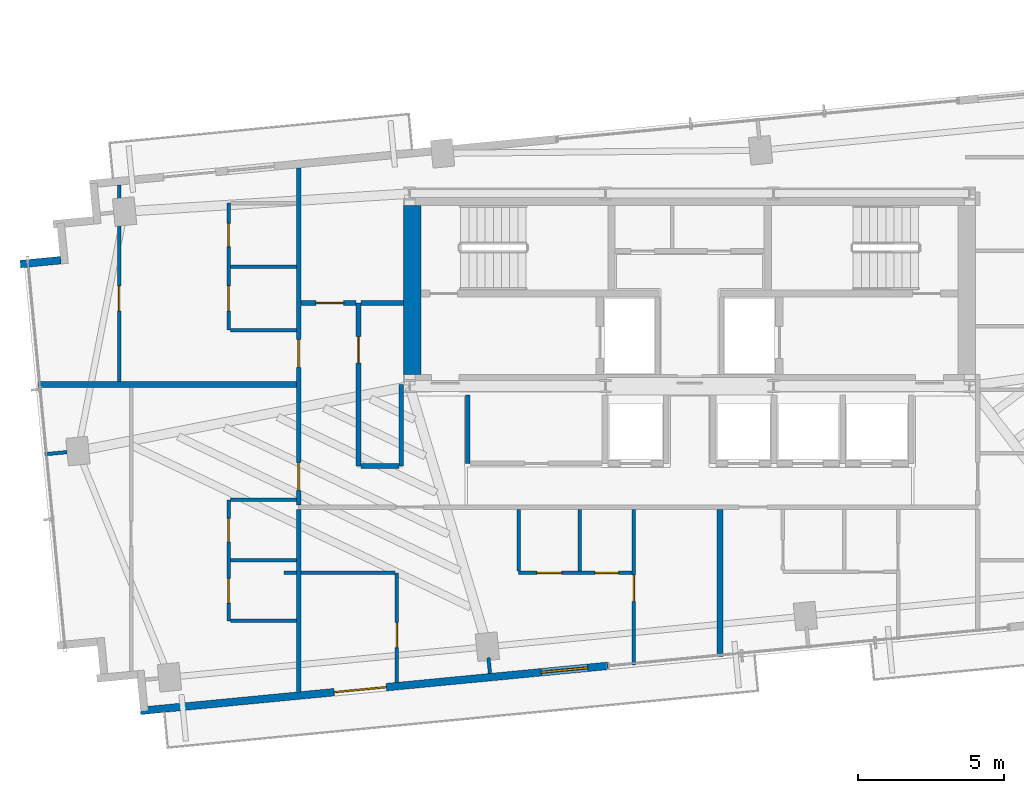
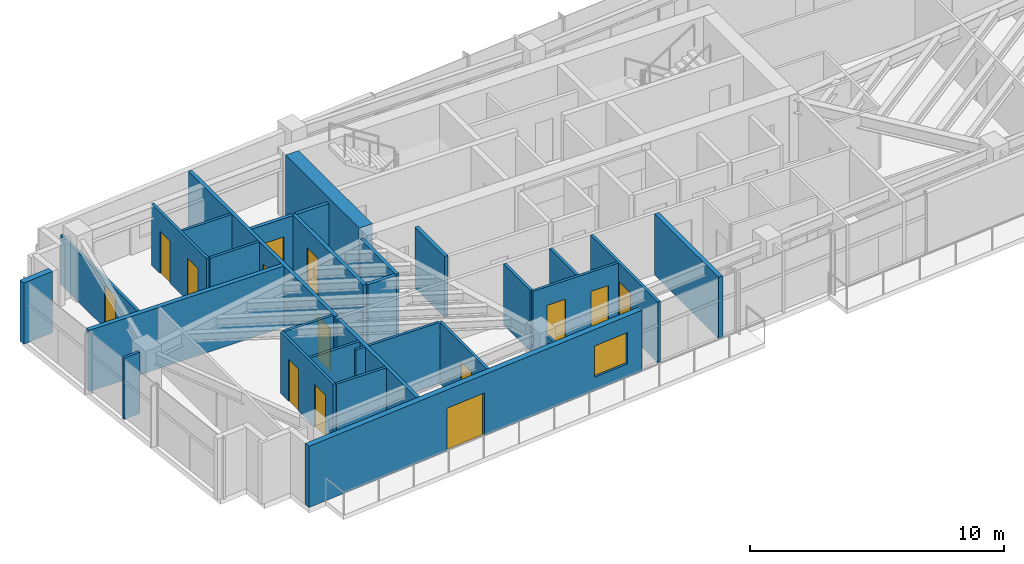
# One storey, part 13 of 18: 30 walls, 14 doors, 1 window, 15 openings.
"""IFC4 building model written with IfcOpenShell, lengths in metres."""

from ifc_helpers import new_model, si_unit, direction, frame, frame_2d, origin, place, context, subcontext, project, spatial, rectangle, extrude, source, transform, mapped, material, layer, layer_set, type_object, type_shapes, element, fill, save


model = new_model("IFC4")

# Units and contexts
model_context = context("Model", 3, precision=1e-05, world=origin(), true_north=direction((0.0, 1.0)))
body_context = subcontext(model_context, "Body", "Model", "MODEL_VIEW")
ifc_project = project(units=[si_unit("LENGTHUNIT", "METRE"), si_unit("AREAUNIT", "SQUARE_METRE"), si_unit("VOLUMEUNIT", "CUBIC_METRE"), si_unit("PLANEANGLEUNIT", "RADIAN"), si_unit("MASSUNIT", "GRAM", prefix="KILO")], contexts=[model_context])

# Site, building, storey
site_placement = place(None, origin())
site = spatial("IfcSite", under=ifc_project, at=site_placement, CompositionType="ELEMENT")
building_placement = place(site_placement, origin())
building = spatial("IfcBuilding", under=site, at=building_placement, Name="Astriad Promenade Condominiums", CompositionType="ELEMENT")
storey_placement = place(building_placement, frame((0.0, 0.0, 182.60009765625)))
storey = spatial("IfcBuildingStorey", under=building, at=storey_placement, Name="L52", CompositionType="ELEMENT", Elevation=182.60009765625)

# Walls
ifc_material_1 = material(Name="Concrete C50/60", Category="concrete")
ifc_layer_1 = layer(ifc_material_1, 0.60009765625)
ifc_layer_set_1 = layer_set([ifc_layer_1], Name="Concrete C50/60")
wall_type_1 = type_object("IfcWallType", Name="CW-SHEAR-600", PredefinedType="SHEAR", material=ifc_layer_set_1)
wall_1_placement = place(storey_placement, frame((26.5, 17.802001953125, 0.0), z_axis=(0.0, 0.0, 1.0), x_axis=(0.0, 1.0, 0.0)))
element("IfcWall", 1, at=wall_1_placement, inside=storey, type_object=wall_type_1, Name="CW-CORE-W-L52", PredefinedType="SHEAR", context=body_context, shape_type="SweptSolid", body=[
    extrude(rectangle(XDim=5.7958984375, YDim=0.60009765625, at=frame_2d((2.89794921875, 0.0))), origin(), (0.0, 0.0, 1.0), 3.199951171875),
])
ifc_material_2 = material(Name="Fire-Rated Gypsum Partition")
ifc_layer_2 = layer(ifc_material_2, 0.159912109375)
ifc_layer_set_2 = layer_set([ifc_layer_2], Name="Fire-Rated Gypsum Partition")
wall_type_2 = type_object("IfcWallType", Name="WALL-CORR-160", PredefinedType="PARTITIONING", material=ifc_layer_set_2)
wall_2_placement = place(storey_placement, frame((28.39990234375, 14.75, 0.0), z_axis=(0.0, 0.0, 1.0), x_axis=(0.0, 1.0, 0.0)))
element("IfcWall", 2, at=wall_2_placement, inside=storey, type_object=wall_type_2, Name="REC-L-W-L52", PredefinedType="PARTITIONING", context=body_context, shape_type="SweptSolid", body=[
    extrude(rectangle(XDim=2.35009765625, YDim=0.159912109375, at=frame_2d((1.175048828125, 0.0))), origin(), (0.0, 0.0, 1.0), 2.93994140625),
])
wall_3_placement = place(storey_placement, frame((22.60009765625, 6.92236328125, 0.0), z_axis=(0.0, 0.0, 1.0), x_axis=(0.0, 1.0, 0.0)))
element("IfcWall", 3, at=wall_3_placement, inside=storey, type_object=wall_type_2, Name="PT-COR-W-L52", PredefinedType="PARTITIONING", context=body_context, shape_type="SweptSolid", body=[
    extrude(rectangle(XDim=6.24560546875, YDim=0.159912109375, at=frame_2d((3.122802734375, 0.0))), origin(), (0.0, 0.0, 1.0), 2.93994140625),
])

# Wall, openings, doors
wall_4_placement = place(storey_placement, frame((22.60009765625, 13.33203125, 0.0), z_axis=(0.0, 0.0, 1.0), x_axis=(0.0, 1.0, 0.0)))
wall_4 = element("IfcWall", 4, at=wall_4_placement, inside=storey, type_object=wall_type_2, Name="PT-COR-W-L52-S2", PredefinedType="PARTITIONING", context=body_context, shape_type="SweptSolid", body=[
    extrude(rectangle(XDim=11.548828125, YDim=0.159912109375, at=frame_2d((5.7744140625, 0.0))), origin(), (0.0, 0.0, 1.0), 2.93994140625),
])
opening_1_placement = place(wall_4_placement, frame((0.492919921875, 0.0, 0.0)))
opening_1 = element("IfcOpeningElement", 5, at=opening_1_placement, cuts=wall_4, Name="Opening FD60-APT-095", PredefinedType="OPENING", context=body_context, shape_type="SweptSolid", body=[
    extrude(rectangle(XDim=0.949951171875, YDim=2.06005859375, at=frame_2d((0.47509765625, 1.030029296875))), frame((0.0, 0.08984375, 0.0), z_axis=(0.0, -1.0, 0.0), x_axis=(1.0, 0.0, 0.0)), (0.0, 0.0, 1.0), 0.179931640625),
])
opening_2_placement = place(wall_4_placement, frame((4.712890625, 0.0, 0.0)))
opening_2 = element("IfcOpeningElement", 6, at=opening_2_placement, cuts=wall_4, Name="Opening FD60-APT-095", PredefinedType="OPENING", context=body_context, shape_type="SweptSolid", body=[
    extrude(rectangle(XDim=0.949951171875, YDim=2.06005859375, at=frame_2d((0.47509765625, 1.030029296875))), frame((0.0, 0.08984375, 0.0), z_axis=(0.0, -1.0, 0.0), x_axis=(1.0, 0.0, 0.0)), (0.0, 0.0, 1.0), 0.179931640625),
])
ifc_material_3 = material(Name="Solid-Core Acoustic Timber Residence Entry Door", Category="wood")
door_type_1 = type_object("IfcDoorType", Name="FD60-APT-095", OperationType="NOTDEFINED", PredefinedType="DOOR", material=ifc_material_3)
shared_shape_1 = source(origin(), body_context, "Body", "SweptSolid", [
    extrude(rectangle(XDim=0.949951171875, YDim=2.06005859375, at=frame_2d((0.47509765625, 1.030029296875))), frame((0.0, 0.02490234375, 0.0), z_axis=(0.0, -1.0, 0.0), x_axis=(1.0, 0.0, 0.0)), (0.0, 0.0, 1.0), 0.050048828125),
])
type_shapes(door_type_1, [shared_shape_1])
door_1_placement = place(opening_1_placement, origin())
door_1 = element("IfcDoor", 7, at=door_1_placement, inside=storey, type_object=door_type_1, Name="D-ENT-L52-W1", OperationType="SINGLE_SWING_LEFT", OverallHeight=2.06005859375, OverallWidth=0.949951171875, PredefinedType="DOOR", context=body_context, shape_type="MappedRepresentation", body=[
    mapped(shared_shape_1, transform((0.0, 0.0, 0.0), scale=1.0)),
])
fill(opening_1, door_1)
door_2_placement = place(opening_2_placement, origin())
door_2 = element("IfcDoor", 8, at=door_2_placement, inside=storey, type_object=door_type_1, Name="D-ENT-L52-W2", OperationType="SINGLE_SWING_LEFT", OverallHeight=2.06005859375, OverallWidth=0.949951171875, PredefinedType="DOOR", context=body_context, shape_type="MappedRepresentation", body=[
    mapped(shared_shape_1, transform((0.0, 0.0, 0.0), scale=1.0)),
])
fill(opening_2, door_2)

# Wall, opening, door
wall_5_placement = place(storey_placement, frame((24.64990234375, 14.659912109375, 0.0), z_axis=(0.0, 0.0, 1.0), x_axis=(0.0, 1.0, 0.0)))
wall_5 = element("IfcWall", 9, at=wall_5_placement, inside=storey, type_object=wall_type_2, Name="PT-HK-E-L52", PredefinedType="PARTITIONING", context=body_context, shape_type="SweptSolid", body=[
    extrude(rectangle(XDim=5.590087890625, YDim=0.159912109375, at=frame_2d((2.794921875, 0.0))), origin(), (0.0, 0.0, 1.0), 2.93994140625),
])
opening_3_placement = place(wall_5_placement, frame((3.5400390625, 0.0, 0.0)))
opening_3 = element("IfcOpeningElement", 10, at=opening_3_placement, cuts=wall_5, Name="Opening D-INT-090", PredefinedType="OPENING", context=body_context, shape_type="SweptSolid", body=[
    extrude(rectangle(XDim=0.89990234375, YDim=2.050048828125, at=frame_2d((0.449951171875, 1.02490234375))), frame((0.0, 0.08984375, 0.0), z_axis=(0.0, -1.0, 0.0), x_axis=(1.0, 0.0, 0.0)), (0.0, 0.0, 1.0), 0.179931640625),
])
ifc_material_4 = material(Name="Painted Solid-Core Timber Bedroom Door", Category="wood")
door_type_2 = type_object("IfcDoorType", Name="D-INT-090", OperationType="NOTDEFINED", PredefinedType="DOOR", material=ifc_material_4)
shared_shape_2 = source(origin(), body_context, "Body", "SweptSolid", [
    extrude(rectangle(XDim=0.89990234375, YDim=2.050048828125, at=frame_2d((0.449951171875, 1.02490234375))), frame((0.0, 0.02490234375, 0.0), z_axis=(0.0, -1.0, 0.0), x_axis=(1.0, 0.0, 0.0)), (0.0, 0.0, 1.0), 0.050048828125),
])
type_shapes(door_type_2, [shared_shape_2])
door_3_placement = place(opening_3_placement, origin())
door_3 = element("IfcDoor", 11, at=door_3_placement, inside=storey, type_object=door_type_2, Name="D-AWC-L52", OperationType="SINGLE_SWING_RIGHT", OverallHeight=2.050048828125, OverallWidth=0.89990234375, PredefinedType="DOOR", context=body_context, shape_type="MappedRepresentation", body=[
    mapped(shared_shape_2, transform((0.0, 0.0, 0.0), scale=1.0)),
])
fill(opening_3, door_3)

wall_6_placement = place(storey_placement, frame((22.681884765625, 20.25, 0.0), z_axis=(0.0, 0.0, 1.0), x_axis=(1.0, 0.0, 0.0)))
wall_6 = element("IfcWall", 12, at=wall_6_placement, inside=storey, type_object=wall_type_2, Name="PT-HK-N-L52", PredefinedType="PARTITIONING", context=body_context, shape_type="SweptSolid", body=[
    extrude(rectangle(XDim=1.88623046875, YDim=0.159912109375, at=frame_2d((0.943115234375, 0.0))), origin(), (0.0, 0.0, 1.0), 2.93994140625),
])
opening_4_placement = place(wall_6_placement, frame((0.508056640625, 0.0, 0.0)))
opening_4 = element("IfcOpeningElement", 13, at=opening_4_placement, cuts=wall_6, Name="Opening FD60-APT-095", PredefinedType="OPENING", context=body_context, shape_type="SweptSolid", body=[
    extrude(rectangle(XDim=0.949951171875, YDim=2.06005859375, at=frame_2d((0.47509765625, 1.030029296875))), frame((0.0, 0.08984375, 0.0), z_axis=(0.0, -1.0, 0.0), x_axis=(1.0, 0.0, 0.0)), (0.0, 0.0, 1.0), 0.179931640625),
])
door_4_placement = place(opening_4_placement, origin())
door_4 = element("IfcDoor", 14, at=door_4_placement, inside=storey, type_object=door_type_1, Name="D-HKB-L52", OperationType="SINGLE_SWING_LEFT", OverallHeight=2.06005859375, OverallWidth=0.949951171875, PredefinedType="DOOR", context=body_context, shape_type="MappedRepresentation", body=[
    mapped(shared_shape_1, transform((0.0, 0.0, 0.0), scale=1.0)),
])
fill(opening_4, door_4)

# Walls
wall_7_placement = place(storey_placement, frame((24.73193359375, 20.25, 0.0), z_axis=(0.0, 0.0, 1.0), x_axis=(1.0, 0.0, 0.0)))
element("IfcWall", 15, at=wall_7_placement, inside=storey, type_object=wall_type_2, Name="PT-HK-N-L52-S2", PredefinedType="PARTITIONING", context=body_context, shape_type="SweptSolid", body=[
    extrude(rectangle(XDim=1.466064453125, YDim=0.159912109375, at=frame_2d((0.73291015625, 0.0))), origin(), (0.0, 0.0, 1.0), 2.93994140625),
])
wall_8_placement = place(storey_placement, frame((26.1201171875, 14.659912109375, 0.0), z_axis=(0.0, 0.0, 1.0), x_axis=(0.0, 1.0, 0.0)))
element("IfcWall", 16, at=wall_8_placement, inside=storey, type_object=wall_type_2, Name="PT-WSPUR-W-L52", PredefinedType="PARTITIONING", context=body_context, shape_type="SweptSolid", body=[
    extrude(rectangle(XDim=2.7900390625, YDim=0.159912109375, at=frame_2d((1.39501953125, 0.0))), origin(), (0.0, 0.0, 1.0), 2.93994140625),
])
wall_9_placement = place(storey_placement, frame((24.73193359375, 14.659912109375, 0.0), z_axis=(0.0, 0.0, 1.0), x_axis=(1.0, 0.0, 0.0)))
element("IfcWall", 17, at=wall_9_placement, inside=storey, type_object=wall_type_2, Name="PT-HK-S-L52", PredefinedType="PARTITIONING", context=body_context, shape_type="SweptSolid", body=[
    extrude(rectangle(XDim=1.30615234375, YDim=0.159912109375, at=frame_2d((0.653076171875, 0.0))), origin(), (0.0, 0.0, 1.0), 2.93994140625),
])
ifc_material_5 = material(Name="Acoustic Double-Stud Gypsum Partition")
ifc_layer_3 = layer(ifc_material_5, 0.199951171875)
ifc_layer_set_3 = layer_set([ifc_layer_3], Name="Acoustic Double-Stud Gypsum Partition")
wall_type_3 = type_object("IfcWallType", Name="WALL-DEMISING-200", PredefinedType="PARTITIONING", material=ifc_layer_set_3)
wall_10_placement = place(storey_placement, frame((37.041015625, 8.1298828125, 0.0), z_axis=(0.0, 0.0, 1.0), x_axis=(0.0, 1.0, 0.0)))
element("IfcWall", 18, at=wall_10_placement, inside=storey, type_object=wall_type_3, Name="PT-DEM-S1-L52", PredefinedType="PARTITIONING", context=body_context, shape_type="SweptSolid", body=[
    extrude(rectangle(XDim=5.0380859375, YDim=0.199951171875, at=frame_2d((2.51904296875, 0.0))), origin(), (0.0, 0.0, 1.0), 2.93994140625),
])
wall_11_placement = place(storey_placement, frame((13.667236328125, 17.449951171875, 0.0), z_axis=(0.0, 0.0, 1.0), x_axis=(1.0, 0.0, 0.0)))
element("IfcWall", 19, at=wall_11_placement, inside=storey, type_object=wall_type_3, Name="PT-DEM-WW-L52", PredefinedType="PARTITIONING", context=body_context, shape_type="SweptSolid", body=[
    extrude(rectangle(XDim=8.850830078125, YDim=0.199951171875, at=frame_2d((4.42529296875, 0.0))), origin(), (0.0, 0.0, 1.0), 2.93994140625),
])
ifc_material_6 = material(Name="Precast concrete C50/60", Category="concrete")
ifc_layer_4 = layer(ifc_material_6, 0.260009765625)
ifc_layer_set_4 = layer_set([ifc_layer_4], Name="Precast concrete C50/60")
wall_type_4 = type_object("IfcWallType", Name="WALL-EXT-TWR-260", PredefinedType="STANDARD", material=ifc_layer_set_4)
wall_12_placement = place(storey_placement, frame((13.058349609375, 21.583251953125, 0.0), z_axis=(0.0, 0.0, 1.0), x_axis=(0.99540774648, 0.095725744959, 0.0)))
element("IfcWall", 20, at=wall_12_placement, inside=storey, type_object=wall_type_4, Name="W-SER-L52-04", PredefinedType="STANDARD", context=body_context, shape_type="SweptSolid", body=[
    extrude(rectangle(XDim=1.39501953125, YDim=0.260009765625, at=frame_2d((0.697509765625, 0.0))), origin(), (0.0, 0.0, 1.0), 2.93994140625),
])

# Wall, openings, door, window
wall_13_placement = place(storey_placement, frame((33.201171875, 7.810302734375, 0.0), z_axis=(0.0, 0.0, 1.0), x_axis=(-0.995397074604, -0.095836652014, 0.0)))
wall_13 = element("IfcWall", 21, at=wall_13_placement, inside=storey, type_object=wall_type_4, Name="W-EXT-L52-S2", PredefinedType="STANDARD", context=body_context, shape_type="SweptSolid", body=[
    extrude(rectangle(XDim=16.10009765625, YDim=0.260009765625, at=frame_2d((8.050048828125, 0.0))), origin(), (0.0, 0.0, 1.0), 2.93994140625),
])
opening_5_placement = place(wall_13_placement, frame((7.6298828125, 0.0, 0.0)))
opening_5 = element("IfcOpeningElement", 22, at=opening_5_placement, cuts=wall_13, Name="Opening BD-1822-SLD", PredefinedType="OPENING", context=body_context, shape_type="SweptSolid", body=[
    extrude(rectangle(XDim=1.800048828125, YDim=2.06005859375, at=frame_2d((0.89990234375, 1.030029296875))), frame((0.0, 0.139892578125, 0.0), z_axis=(0.0, -1.0, 0.0), x_axis=(1.0, 0.0, 0.0)), (0.0, 0.0, 1.0), 0.280029296875),
])
opening_6_placement = place(wall_13_placement, frame((0.699951171875, 0.0, 0.64990234375)))
opening_6 = element("IfcOpeningElement", 23, at=opening_6_placement, cuts=wall_13, Name="Opening WIN-TWR-1620", PredefinedType="OPENING", context=body_context, shape_type="SweptSolid", body=[
    extrude(rectangle(XDim=1.60009765625, YDim=1.5, at=frame_2d((0.800048828125, 0.75))), frame((0.0, 0.139892578125, 0.0), z_axis=(0.0, -1.0, 0.0), x_axis=(1.0, 0.0, 0.0)), (0.0, 0.0, 1.0), 0.280029296875),
])
ifc_material_7 = material(Name="Thermally Broken Aluminium Sliding Balcony Door", Category="aluminium")
door_type_3 = type_object("IfcDoorType", Name="BD-1822-SLD", OperationType="NOTDEFINED", PredefinedType="DOOR", material=ifc_material_7)
shared_shape_3 = source(origin(), body_context, "Body", "SweptSolid", [
    extrude(rectangle(XDim=1.800048828125, YDim=2.06005859375, at=frame_2d((0.89990234375, 1.030029296875))), frame((0.0, 0.02490234375, 0.0), z_axis=(0.0, -1.0, 0.0), x_axis=(1.0, 0.0, 0.0)), (0.0, 0.0, 1.0), 0.050048828125),
])
type_shapes(door_type_3, [shared_shape_3])
door_5_placement = place(opening_5_placement, origin())
door_5 = element("IfcDoor", 24, at=door_5_placement, inside=storey, type_object=door_type_3, Name="BD-L52-SW", OperationType="SLIDING_TO_LEFT", OverallHeight=2.06005859375, OverallWidth=1.800048828125, PredefinedType="DOOR", context=body_context, shape_type="MappedRepresentation", body=[
    mapped(shared_shape_3, transform((0.0, 0.0, 0.0), scale=1.0)),
])
fill(opening_5, door_5)
ifc_material_8 = material(Name="Dark Tinted Triple-Glazed Aluminium Window", Category="aluminium")
window_type = type_object("IfcWindowType", Name="WIN-TWR-1620", PartitioningType="SINGLE_PANEL", PredefinedType="WINDOW", material=ifc_material_8)
shared_shape_4 = source(origin(), body_context, "Body", "SweptSolid", [
    extrude(rectangle(XDim=1.60009765625, YDim=1.5, at=frame_2d((0.800048828125, 0.75))), frame((0.0, 0.030029296875, 0.0), z_axis=(0.0, -1.0, 0.0), x_axis=(1.0, 0.0, 0.0)), (0.0, 0.0, 1.0), 0.06005859375),
])
type_shapes(window_type, [shared_shape_4])
window_placement = place(opening_6_placement, origin())
window = element("IfcWindow", 25, at=window_placement, inside=storey, type_object=window_type, Name="WIN-L52-SW", OverallHeight=1.5, OverallWidth=1.60009765625, PartitioningType="SINGLE_PANEL", PredefinedType="WINDOW", context=body_context, shape_type="MappedRepresentation", body=[
    mapped(shared_shape_4, transform((0.0, 0.0, 0.0), scale=1.0)),
])
fill(opening_6, window)

# Wall, opening, door
ifc_material_9 = material(Name="Acoustic Metal-Stud Gypsum Partition")
ifc_layer_5 = layer(ifc_material_9, 0.1201171875)
ifc_layer_set_5 = layer_set([ifc_layer_5], Name="Acoustic Metal-Stud Gypsum Partition")
wall_type_5 = type_object("IfcWallType", Name="WALL-PART-120", PredefinedType="PARTITIONING", material=ifc_layer_set_5)
wall_14_placement = place(storey_placement, frame((34.091064453125, 7.845947265625, 0.0), z_axis=(0.0, 0.0, 1.0), x_axis=(0.0, 1.0, 0.0)))
wall_14 = element("IfcWall", 26, at=wall_14_placement, inside=storey, type_object=wall_type_5, Name="PT-L52-S1-BD1", PredefinedType="PARTITIONING", context=body_context, shape_type="SweptSolid", body=[
    extrude(rectangle(XDim=5.322021484375, YDim=0.1201171875, at=frame_2d((2.6611328125, 0.0))), origin(), (0.0, 0.0, 1.0), 2.93994140625),
])
opening_7_placement = place(wall_14_placement, frame((2.176025390625, 0.0, 0.0)))
opening_7 = element("IfcOpeningElement", 27, at=opening_7_placement, cuts=wall_14, Name="Opening D-INT-090", PredefinedType="OPENING", context=body_context, shape_type="SweptSolid", body=[
    extrude(rectangle(XDim=0.89990234375, YDim=2.050048828125, at=frame_2d((0.449951171875, 1.02490234375))), frame((0.0, 0.070068359375, 0.0), z_axis=(0.0, -1.0, 0.0), x_axis=(1.0, 0.0, 0.0)), (0.0, 0.0, 1.0), 0.14013671875),
])
door_6_placement = place(opening_7_placement, origin())
door_6 = element("IfcDoor", 28, at=door_6_placement, inside=storey, type_object=door_type_2, Name="D-BD1-L52-S1", OperationType="SINGLE_SWING_RIGHT", OverallHeight=2.050048828125, OverallWidth=0.89990234375, PredefinedType="DOOR", context=body_context, shape_type="MappedRepresentation", body=[
    mapped(shared_shape_2, transform((0.0, 0.0, 0.0), scale=1.0)),
])
fill(opening_7, door_6)

# Wall, openings, doors
wall_15_placement = place(storey_placement, frame((30.14111328125, 11.0, 0.0), z_axis=(0.0, 0.0, 1.0), x_axis=(1.0, 0.0, 0.0)))
wall_15 = element("IfcWall", 29, at=wall_15_placement, inside=storey, type_object=wall_type_5, Name="PT-L52-S1-PS", PredefinedType="PARTITIONING", context=body_context, shape_type="SweptSolid", body=[
    extrude(rectangle(XDim=3.887939453125, YDim=0.1201171875, at=frame_2d((1.94384765625, 0.0))), origin(), (0.0, 0.0, 1.0), 2.93994140625),
])
opening_8_placement = place(wall_15_placement, frame((0.625, 0.0, 0.0)))
opening_8 = element("IfcOpeningElement", 30, at=opening_8_placement, cuts=wall_15, Name="Opening D-INT-085", PredefinedType="OPENING", context=body_context, shape_type="SweptSolid", body=[
    extrude(rectangle(XDim=0.85009765625, YDim=2.050048828125, at=frame_2d((0.425048828125, 1.02490234375))), frame((0.0, 0.070068359375, 0.0), z_axis=(0.0, -1.0, 0.0), x_axis=(1.0, 0.0, 0.0)), (0.0, 0.0, 1.0), 0.14013671875),
])
opening_9_placement = place(wall_15_placement, frame((2.625, 0.0, 0.0)))
opening_9 = element("IfcOpeningElement", 31, at=opening_9_placement, cuts=wall_15, Name="Opening D-WET-080", PredefinedType="OPENING", context=body_context, shape_type="SweptSolid", body=[
    extrude(rectangle(XDim=0.800048828125, YDim=2.02001953125, at=frame_2d((0.39990234375, 1.010009765625))), frame((0.0, 0.070068359375, 0.0), z_axis=(0.0, -1.0, 0.0), x_axis=(1.0, 0.0, 0.0)), (0.0, 0.0, 1.0), 0.14013671875),
])
ifc_material_10 = material(Name="Moisture-Resistant Timber Bathroom Door", Category="wood")
door_type_4 = type_object("IfcDoorType", Name="D-WET-080", OperationType="NOTDEFINED", PredefinedType="DOOR", material=ifc_material_10)
shared_shape_5 = source(origin(), body_context, "Body", "SweptSolid", [
    extrude(rectangle(XDim=0.800048828125, YDim=2.02001953125, at=frame_2d((0.39990234375, 1.010009765625))), frame((0.0, 0.02490234375, 0.0), z_axis=(0.0, -1.0, 0.0), x_axis=(1.0, 0.0, 0.0)), (0.0, 0.0, 1.0), 0.050048828125),
])
type_shapes(door_type_4, [shared_shape_5])
door_7_placement = place(opening_9_placement, origin())
door_7 = element("IfcDoor", 32, at=door_7_placement, inside=storey, type_object=door_type_4, Name="D-BTH-L52-S1", OperationType="SINGLE_SWING_RIGHT", OverallHeight=2.02001953125, OverallWidth=0.800048828125, PredefinedType="DOOR", context=body_context, shape_type="MappedRepresentation", body=[
    mapped(shared_shape_5, transform((0.0, 0.0, 0.0), scale=1.0)),
])
fill(opening_9, door_7)
ifc_material_11 = material(Name="Painted Solid-Core Timber Room Door", Category="wood")
door_type_5 = type_object("IfcDoorType", Name="D-INT-085", OperationType="NOTDEFINED", PredefinedType="DOOR", material=ifc_material_11)
shared_shape_6 = source(origin(), body_context, "Body", "SweptSolid", [
    extrude(rectangle(XDim=0.85009765625, YDim=2.050048828125, at=frame_2d((0.425048828125, 1.02490234375))), frame((0.0, 0.02490234375, 0.0), z_axis=(0.0, -1.0, 0.0), x_axis=(1.0, 0.0, 0.0)), (0.0, 0.0, 1.0), 0.050048828125),
])
type_shapes(door_type_5, [shared_shape_6])
door_8_placement = place(opening_8_placement, origin())
door_8 = element("IfcDoor", 33, at=door_8_placement, inside=storey, type_object=door_type_5, Name="D-KIT-L52-S1", OperationType="SINGLE_SWING_LEFT", OverallHeight=2.050048828125, OverallWidth=0.85009765625, PredefinedType="DOOR", context=body_context, shape_type="MappedRepresentation", body=[
    mapped(shared_shape_6, transform((0.0, 0.0, 0.0), scale=1.0)),
])
fill(opening_8, door_8)

# Walls
for number, where, z_axis, x_axis, name in (
    (34, (32.240966796875, 11.06201171875, 0.0), (0.0, 0.0, 1.0), (0.0, 1.0, 0.0), "PT-L52-S1-PBK"),
    (35, (30.14111328125, 11.06201171875, 0.0), (0.0, 0.0, 1.0), (0.0, 1.0, 0.0), "PT-L52-S1-PKW"),
):
    element("IfcWall", number, at=place(storey_placement, frame(where, z_axis=z_axis, x_axis=x_axis)), inside=storey, type_object=wall_type_5, Name=name, PredefinedType="PARTITIONING", context=body_context, shape_type="SweptSolid", body=[
        extrude(rectangle(XDim=2.10595703125, YDim=0.1201171875, at=frame_2d((1.052978515625, 0.0))), origin(), (0.0, 0.0, 1.0), 2.93994140625),
    ])

# Wall, opening, door
wall_16_placement = place(storey_placement, frame((25.962890625, 7.24609375, 0.0), z_axis=(0.0, 0.0, 1.0), x_axis=(0.0, 1.0, 0.0)))
wall_16 = element("IfcWall", 36, at=wall_16_placement, inside=storey, type_object=wall_type_5, Name="PT-L52-S1-EXV", PredefinedType="PARTITIONING", context=body_context, shape_type="SweptSolid", body=[
    extrude(rectangle(XDim=3.75390625, YDim=0.1201171875, at=frame_2d((1.876953125, 0.0))), origin(), (0.0, 0.0, 1.0), 2.93994140625),
])
opening_10_placement = place(wall_16_placement, frame((1.19287109375, 0.0, 0.0)))
opening_10 = element("IfcOpeningElement", 37, at=opening_10_placement, cuts=wall_16, Name="Opening D-INT-085", PredefinedType="OPENING", context=body_context, shape_type="SweptSolid", body=[
    extrude(rectangle(XDim=0.85009765625, YDim=2.050048828125, at=frame_2d((0.425048828125, 1.02490234375))), frame((0.0, 0.070068359375, 0.0), z_axis=(0.0, -1.0, 0.0), x_axis=(1.0, 0.0, 0.0)), (0.0, 0.0, 1.0), 0.14013671875),
])
door_9_placement = place(opening_10_placement, origin())
door_9 = element("IfcDoor", 38, at=door_9_placement, inside=storey, type_object=door_type_5, Name="D-EX-L52-S1", OperationType="SINGLE_SWING_RIGHT", OverallHeight=2.050048828125, OverallWidth=0.85009765625, PredefinedType="DOOR", context=body_context, shape_type="MappedRepresentation", body=[
    mapped(shared_shape_6, transform((0.0, 0.0, 0.0), scale=1.0)),
])
fill(opening_10, door_9)

# Walls
wall_17_placement = place(storey_placement, frame((22.10009765625, 11.0, 0.0), z_axis=(0.0, 0.0, 1.0), x_axis=(1.0, 0.0, 0.0)))
element("IfcWall", 39, at=wall_17_placement, inside=storey, type_object=wall_type_5, Name="PT-L52-S1-EXH", PredefinedType="PARTITIONING", context=body_context, shape_type="SweptSolid", body=[
    extrude(rectangle(XDim=0.41796875, YDim=0.1201171875, at=frame_2d((0.208984375, 0.0))), origin(), (0.0, 0.0, 1.0), 2.93994140625),
])
wall_18_placement = place(storey_placement, frame((22.681884765625, 11.0, 0.0), z_axis=(0.0, 0.0, 1.0), x_axis=(1.0, 0.0, 0.0)))
element("IfcWall", 40, at=wall_18_placement, inside=storey, type_object=wall_type_5, Name="PT-L52-S1-EXH-S2", PredefinedType="PARTITIONING", context=body_context, shape_type="SweptSolid", body=[
    extrude(rectangle(XDim=3.218994140625, YDim=0.1201171875, at=frame_2d((1.609375, 0.0))), origin(), (0.0, 0.0, 1.0), 2.93994140625),
])

# Wall, openings, doors
wall_19_placement = place(storey_placement, frame((20.199951171875, 9.35009765625, 0.0), z_axis=(0.0, 0.0, 1.0), x_axis=(0.0, 1.0, 0.0)))
wall_19 = element("IfcWall", 41, at=wall_19_placement, inside=storey, type_object=wall_type_5, Name="PT-L52-W1-PV", PredefinedType="PARTITIONING", context=body_context, shape_type="SweptSolid", body=[
    extrude(rectangle(XDim=4.14990234375, YDim=0.1201171875, at=frame_2d((2.074951171875, 0.0))), origin(), (0.0, 0.0, 1.0), 2.93994140625),
])
opening_11_placement = place(wall_19_placement, frame((0.612060546875, 0.0, 0.0)))
opening_11 = element("IfcOpeningElement", 42, at=opening_11_placement, cuts=wall_19, Name="Opening D-INT-085", PredefinedType="OPENING", context=body_context, shape_type="SweptSolid", body=[
    extrude(rectangle(XDim=0.85009765625, YDim=2.050048828125, at=frame_2d((0.425048828125, 1.02490234375))), frame((0.0, 0.070068359375, 0.0), z_axis=(0.0, -1.0, 0.0), x_axis=(1.0, 0.0, 0.0)), (0.0, 0.0, 1.0), 0.14013671875),
])
opening_12_placement = place(wall_19_placement, frame((2.712890625, 0.0, 0.0)))
opening_12 = element("IfcOpeningElement", 43, at=opening_12_placement, cuts=wall_19, Name="Opening D-WET-080", PredefinedType="OPENING", context=body_context, shape_type="SweptSolid", body=[
    extrude(rectangle(XDim=0.800048828125, YDim=2.02001953125, at=frame_2d((0.39990234375, 1.010009765625))), frame((0.0, 0.070068359375, 0.0), z_axis=(0.0, -1.0, 0.0), x_axis=(1.0, 0.0, 0.0)), (0.0, 0.0, 1.0), 0.14013671875),
])
door_10_placement = place(opening_12_placement, origin())
door_10 = element("IfcDoor", 44, at=door_10_placement, inside=storey, type_object=door_type_4, Name="D-BTH-L52-W1", OperationType="SINGLE_SWING_LEFT", OverallHeight=2.02001953125, OverallWidth=0.800048828125, PredefinedType="DOOR", context=body_context, shape_type="MappedRepresentation", body=[
    mapped(shared_shape_5, transform((0.0, 0.0, 0.0), scale=1.0)),
])
fill(opening_12, door_10)
door_11_placement = place(opening_11_placement, origin())
door_11 = element("IfcDoor", 45, at=door_11_placement, inside=storey, type_object=door_type_5, Name="D-KIT-L52-W1", OperationType="SINGLE_SWING_RIGHT", OverallHeight=2.050048828125, OverallWidth=0.85009765625, PredefinedType="DOOR", context=body_context, shape_type="MappedRepresentation", body=[
    mapped(shared_shape_6, transform((0.0, 0.0, 0.0), scale=1.0)),
])
fill(opening_11, door_11)

# Walls
for number, where, z_axis, x_axis, name in (
    (46, (20.261962890625, 11.425048828125, 0.0), (0.0, 0.0, 1.0), (1.0, 0.0, 0.0), "PT-L52-W1-PM"),
    (47, (20.261962890625, 9.35009765625, 0.0), (0.0, 0.0, 1.0), (1.0, 0.0, 0.0), "PT-L52-W1-PS"),
    (48, (20.261962890625, 13.5, 0.0), (0.0, 0.0, 1.0), (1.0, 0.0, 0.0), "PT-L52-W1-PN"),
):
    element("IfcWall", number, at=place(storey_placement, frame(where, z_axis=z_axis, x_axis=x_axis)), inside=storey, type_object=wall_type_5, Name=name, PredefinedType="PARTITIONING", context=body_context, shape_type="SweptSolid", body=[
        extrude(rectangle(XDim=2.256103515625, YDim=0.1201171875, at=frame_2d((1.1279296875, 0.0))), origin(), (0.0, 0.0, 1.0), 2.93994140625),
    ])

# Wall, openings, doors
wall_20_placement = place(storey_placement, frame((20.199951171875, 19.320068359375, 0.0), z_axis=(0.0, 0.0, 1.0), x_axis=(0.0, 1.0, 0.0)))
wall_20 = element("IfcWall", 49, at=wall_20_placement, inside=storey, type_object=wall_type_5, Name="PT-L52-W2-PV", PredefinedType="PARTITIONING", context=body_context, shape_type="SweptSolid", body=[
    extrude(rectangle(XDim=4.349853515625, YDim=0.1201171875, at=frame_2d((2.1748046875, 0.0))), origin(), (0.0, 0.0, 1.0), 2.93994140625),
])
opening_13_placement = place(wall_20_placement, frame((0.662109375, 0.0, 0.0)))
opening_13 = element("IfcOpeningElement", 50, at=opening_13_placement, cuts=wall_20, Name="Opening D-INT-085", PredefinedType="OPENING", context=body_context, shape_type="SweptSolid", body=[
    extrude(rectangle(XDim=0.85009765625, YDim=2.050048828125, at=frame_2d((0.425048828125, 1.02490234375))), frame((0.0, 0.070068359375, 0.0), z_axis=(0.0, -1.0, 0.0), x_axis=(1.0, 0.0, 0.0)), (0.0, 0.0, 1.0), 0.14013671875),
])
opening_14_placement = place(wall_20_placement, frame((2.863037109375, 0.0, 0.0)))
opening_14 = element("IfcOpeningElement", 51, at=opening_14_placement, cuts=wall_20, Name="Opening D-WET-080", PredefinedType="OPENING", context=body_context, shape_type="SweptSolid", body=[
    extrude(rectangle(XDim=0.800048828125, YDim=2.02001953125, at=frame_2d((0.39990234375, 1.010009765625))), frame((0.0, 0.070068359375, 0.0), z_axis=(0.0, -1.0, 0.0), x_axis=(1.0, 0.0, 0.0)), (0.0, 0.0, 1.0), 0.14013671875),
])
door_12_placement = place(opening_14_placement, origin())
door_12 = element("IfcDoor", 52, at=door_12_placement, inside=storey, type_object=door_type_4, Name="D-BTH-L52-W2", OperationType="SINGLE_SWING_LEFT", OverallHeight=2.02001953125, OverallWidth=0.800048828125, PredefinedType="DOOR", context=body_context, shape_type="MappedRepresentation", body=[
    mapped(shared_shape_5, transform((0.0, 0.0, 0.0), scale=1.0)),
])
fill(opening_14, door_12)
door_13_placement = place(opening_13_placement, origin())
door_13 = element("IfcDoor", 53, at=door_13_placement, inside=storey, type_object=door_type_5, Name="D-KIT-L52-W2", OperationType="SINGLE_SWING_RIGHT", OverallHeight=2.050048828125, OverallWidth=0.85009765625, PredefinedType="DOOR", context=body_context, shape_type="MappedRepresentation", body=[
    mapped(shared_shape_6, transform((0.0, 0.0, 0.0), scale=1.0)),
])
fill(opening_13, door_13)

# Walls
for number, where, z_axis, x_axis, name in (
    (54, (20.261962890625, 21.4951171875, 0.0), (0.0, 0.0, 1.0), (1.0, 0.0, 0.0), "PT-L52-W2-PM"),
    (55, (20.261962890625, 19.320068359375, 0.0), (0.0, 0.0, 1.0), (1.0, 0.0, 0.0), "PT-L52-W2-PS"),
):
    element("IfcWall", number, at=place(storey_placement, frame(where, z_axis=z_axis, x_axis=x_axis)), inside=storey, type_object=wall_type_5, Name=name, PredefinedType="PARTITIONING", context=body_context, shape_type="SweptSolid", body=[
        extrude(rectangle(XDim=2.256103515625, YDim=0.1201171875, at=frame_2d((1.1279296875, 0.0))), origin(), (0.0, 0.0, 1.0), 2.93994140625),
    ])

# Wall, opening, door
wall_21_placement = place(storey_placement, frame((16.44091796875, 17.552001953125, 0.0), z_axis=(0.0, 0.0, 1.0), x_axis=(0.0, 1.0, 0.0)))
wall_21 = element("IfcWall", 56, at=wall_21_placement, inside=storey, type_object=wall_type_5, Name="PT-L52-W2-B1", PredefinedType="PARTITIONING", context=body_context, shape_type="SweptSolid", body=[
    extrude(rectangle(XDim=6.73583984375, YDim=0.1201171875, at=frame_2d((3.367919921875, 0.0))), origin(), (0.0, 0.0, 1.0), 2.38232421875),
])
opening_15_placement = place(wall_21_placement, frame((2.429931640625, 0.0, 0.0)))
opening_15 = element("IfcOpeningElement", 57, at=opening_15_placement, cuts=wall_21, Name="Opening D-INT-085", PredefinedType="OPENING", context=body_context, shape_type="SweptSolid", body=[
    extrude(rectangle(XDim=0.85009765625, YDim=2.050048828125, at=frame_2d((0.425048828125, 1.02490234375))), frame((0.0, 0.070068359375, 0.0), z_axis=(0.0, -1.0, 0.0), x_axis=(1.0, 0.0, 0.0)), (0.0, 0.0, 1.0), 0.14013671875),
])
door_14_placement = place(opening_15_placement, origin())
door_14 = element("IfcDoor", 58, at=door_14_placement, inside=storey, type_object=door_type_5, Name="D-BD1-L52-W2", OperationType="SINGLE_SWING_RIGHT", OverallHeight=2.050048828125, OverallWidth=0.85009765625, PredefinedType="DOOR", context=body_context, shape_type="MappedRepresentation", body=[
    mapped(shared_shape_6, transform((0.0, 0.0, 0.0), scale=1.0)),
])
fill(opening_15, door_14)

# Walls
wall_22_placement = place(storey_placement, frame((29.10546875, 8.089111328125, 0.0), z_axis=(0.0, 0.0, 1.0), x_axis=(0.095772948675, -0.995403205893, 0.0)))
element("IfcWall", 59, at=wall_22_placement, inside=storey, type_object=wall_type_5, Name="PT-PIL-L52-PC02-9", PredefinedType="PARTITIONING", context=body_context, shape_type="SweptSolid", body=[
    extrude(rectangle(XDim=0.537841796875, YDim=0.1201171875, at=frame_2d((0.26904296875, 0.0))), origin(), (0.0, 0.0, 1.0), 2.93994140625),
])
wall_23_placement = place(storey_placement, frame((14.653564453125, 15.136474609375, 0.0), z_axis=(0.0, 0.0, 1.0), x_axis=(-0.995408440582, -0.095718527039, 0.0)))
element("IfcWall", 60, at=wall_23_placement, inside=storey, type_object=wall_type_5, Name="PT-PIL-L52-PC11-18", PredefinedType="PARTITIONING", context=body_context, shape_type="SweptSolid", body=[
    extrude(rectangle(XDim=0.760009765625, YDim=0.1201171875, at=frame_2d((0.3798828125, 0.0))), origin(), (0.0, 0.0, 1.0), 2.93994140625),
])

save(model, "model.ifc")
